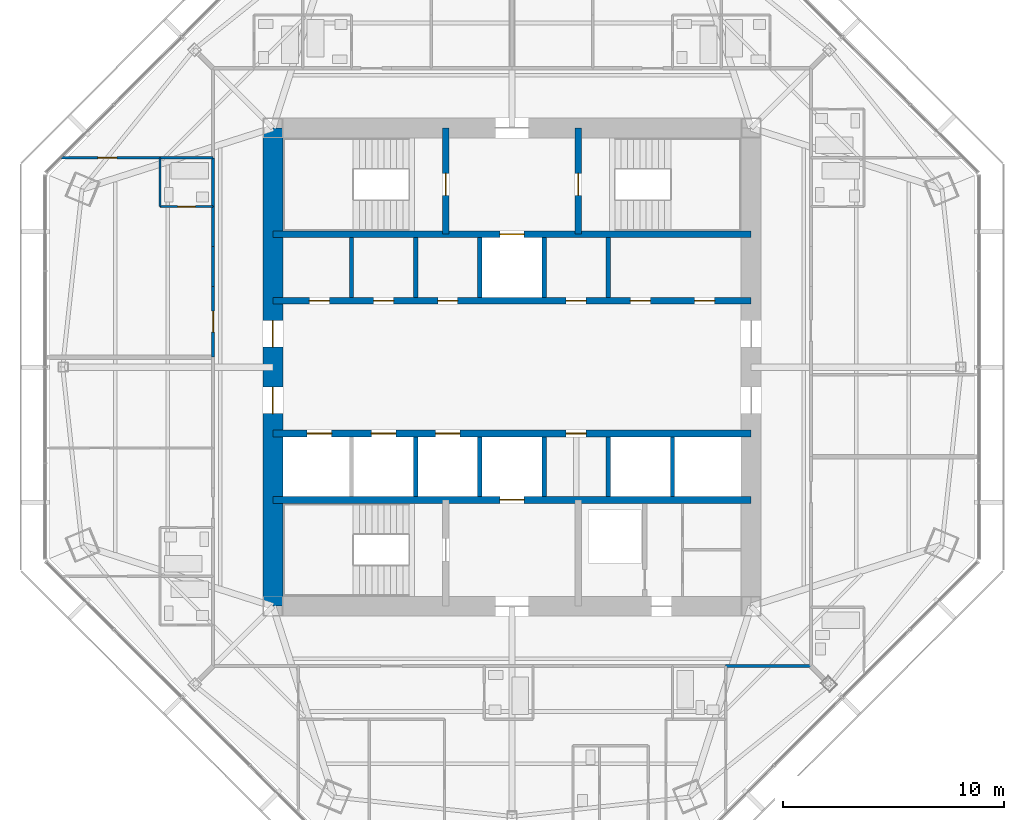
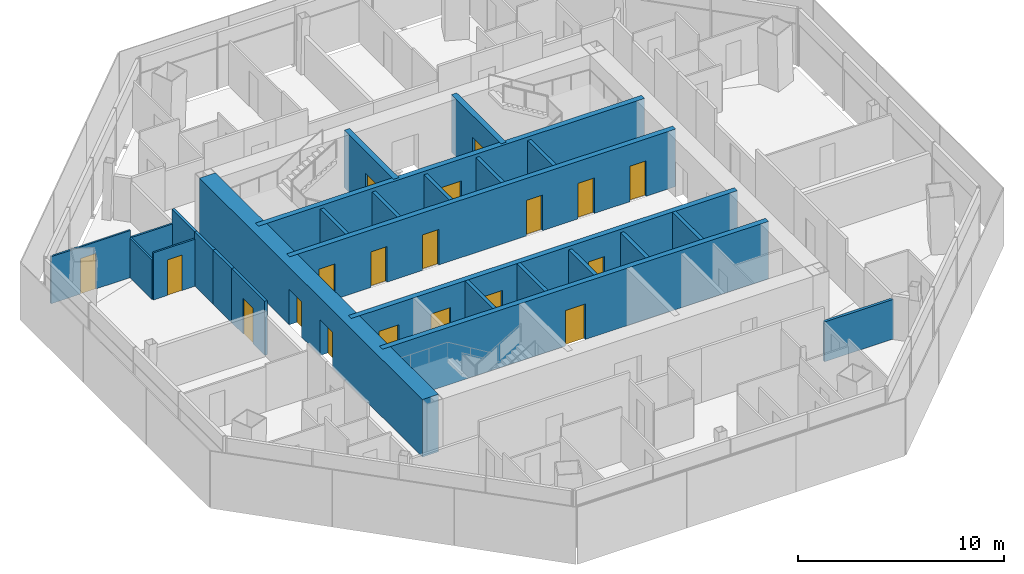
# One storey, part 10 of 14: 26 walls, 19 doors, 19 openings.
"""IFC4 building model written with IfcOpenShell, lengths in metres."""

from ifc_helpers import new_model, si_unit, direction, frame, frame_2d, origin, place, context, subcontext, project, spatial, rectangle, extrude, material, layer, layer_set, type_object, element, fill, save


model = new_model("IFC4")

# Units and contexts
model_context = context("Model", 3, precision=1e-05, world=origin(), true_north=direction((0.0, 1.0)))
body_context = subcontext(model_context, "Body", "Model", "MODEL_VIEW")
ifc_project = project(units=[si_unit("LENGTHUNIT", "METRE"), si_unit("AREAUNIT", "SQUARE_METRE"), si_unit("VOLUMEUNIT", "CUBIC_METRE"), si_unit("PLANEANGLEUNIT", "RADIAN"), si_unit("MASSUNIT", "GRAM", prefix="KILO")], contexts=[model_context])

# Site, building, storey
site_placement = place(None, origin())
site = spatial("IfcSite", under=ifc_project, at=site_placement, CompositionType="ELEMENT")
building_placement = place(site_placement, origin())
building = spatial("IfcBuilding", under=site, at=building_placement, Name="Mashrafa Tower", CompositionType="ELEMENT")
storey_placement = place(building_placement, frame((0.0, 0.0, 244.800048828125)))
storey = spatial("IfcBuildingStorey", under=building, at=storey_placement, Name="L58", CompositionType="ELEMENT", Elevation=244.800048828125)

# Wall, openings, doors
ifc_material_1 = material(Name="Concrete C50/60", Category="concrete")
ifc_layer_1 = layer(ifc_material_1, 0.300048828125)
ifc_layer_set_1 = layer_set([ifc_layer_1], Name="Core wall 300 C50/60")
wall_type_1 = type_object("IfcWallType", Name="Core wall 300 C50/60", PredefinedType="SOLIDWALL", material=ifc_layer_set_1)
wall_1_placement = place(storey_placement, frame((-10.800048828125, 3.0, 0.0), z_axis=(0.0, 0.0, 1.0), x_axis=(1.0, 0.0, 0.0)))
wall_1 = element("IfcWall", 1, at=wall_1_placement, inside=storey, type_object=wall_type_1, Name="Core wall CH-N L58", PredefinedType="SOLIDWALL", context=body_context, shape_type="SweptSolid", body=[
    extrude(rectangle(XDim=21.60009765625, YDim=0.300048828125, at=frame_2d((10.800048828125, 0.0))), origin(), (0.0, 0.0, 1.0), 3.39990234375),
])
opening_1_placement = place(wall_1_placement, frame((1.64990234375, 0.0, 0.0)))
opening_1 = element("IfcOpeningElement", 2, at=opening_1_placement, cuts=wall_1, Name="Opening 58.049", PredefinedType="OPENING", context=body_context, shape_type="SweptSolid", body=[
    extrude(rectangle(XDim=0.89990234375, YDim=2.10009765625, at=frame_2d((0.449951171875, 1.050048828125))), frame((0.0, 0.159912109375, 0.0), z_axis=(0.0, -1.0, 0.0), x_axis=(1.0, 0.0, 0.0)), (0.0, 0.0, 1.0), 0.320068359375),
])
opening_2_placement = place(wall_1_placement, frame((7.449951171875, 0.0, 0.0)))
opening_2 = element("IfcOpeningElement", 3, at=opening_2_placement, cuts=wall_1, Name="Opening 58.050", PredefinedType="OPENING", context=body_context, shape_type="SweptSolid", body=[
    extrude(rectangle(XDim=0.89990234375, YDim=2.10009765625, at=frame_2d((0.449951171875, 1.050048828125))), frame((0.0, 0.159912109375, 0.0), z_axis=(0.0, -1.0, 0.0), x_axis=(1.0, 0.0, 0.0)), (0.0, 0.0, 1.0), 0.320068359375),
])
opening_3_placement = place(wall_1_placement, frame((13.25, 0.0, 0.0)))
opening_3 = element("IfcOpeningElement", 4, at=opening_3_placement, cuts=wall_1, Name="Opening 58.051", PredefinedType="OPENING", context=body_context, shape_type="SweptSolid", body=[
    extrude(rectangle(XDim=0.89990234375, YDim=2.10009765625, at=frame_2d((0.449951171875, 1.050048828125))), frame((0.0, 0.159912109375, 0.0), z_axis=(0.0, -1.0, 0.0), x_axis=(1.0, 0.0, 0.0)), (0.0, 0.0, 1.0), 0.320068359375),
])
opening_4_placement = place(wall_1_placement, frame((16.14990234375, 0.0, 0.0)))
opening_4 = element("IfcOpeningElement", 5, at=opening_4_placement, cuts=wall_1, Name="Opening 58.052", PredefinedType="OPENING", context=body_context, shape_type="SweptSolid", body=[
    extrude(rectangle(XDim=0.89990234375, YDim=2.10009765625, at=frame_2d((0.449951171875, 1.050048828125))), frame((0.0, 0.159912109375, 0.0), z_axis=(0.0, -1.0, 0.0), x_axis=(1.0, 0.0, 0.0)), (0.0, 0.0, 1.0), 0.320068359375),
])
opening_5_placement = place(wall_1_placement, frame((19.050048828125, 0.0, 0.0)))
opening_5 = element("IfcOpeningElement", 6, at=opening_5_placement, cuts=wall_1, Name="Opening 58.053", PredefinedType="OPENING", context=body_context, shape_type="SweptSolid", body=[
    extrude(rectangle(XDim=0.89990234375, YDim=2.10009765625, at=frame_2d((0.449951171875, 1.050048828125))), frame((0.0, 0.159912109375, 0.0), z_axis=(0.0, -1.0, 0.0), x_axis=(1.0, 0.0, 0.0)), (0.0, 0.0, 1.0), 0.320068359375),
])
opening_6_placement = place(wall_1_placement, frame((4.550048828125, 0.0, 0.0)))
opening_6 = element("IfcOpeningElement", 7, at=opening_6_placement, cuts=wall_1, Name="Opening 58.054", PredefinedType="OPENING", context=body_context, shape_type="SweptSolid", body=[
    extrude(rectangle(XDim=0.89990234375, YDim=2.10009765625, at=frame_2d((0.449951171875, 1.050048828125))), frame((0.0, 0.159912109375, 0.0), z_axis=(0.0, -1.0, 0.0), x_axis=(1.0, 0.0, 0.0)), (0.0, 0.0, 1.0), 0.320068359375),
])
ifc_material_2 = material(Name="Timber door", Category="wood")
door_type_1 = type_object("IfcDoorType", Name="Store door 900 x 2100", OperationType="USERDEFINED", PredefinedType="DOOR", material=ifc_material_2)
door_1_placement = place(opening_1_placement, origin())
door_1 = element("IfcDoor", 8, at=door_1_placement, inside=storey, type_object=door_type_1, Name="Refuse Chute Room L58 door", OperationType="SINGLE_SWING_RIGHT", OverallHeight=2.10009765625, OverallWidth=0.89990234375, PredefinedType="DOOR", context=body_context, shape_type="SweptSolid", body=[
    extrude(rectangle(XDim=0.89990234375, YDim=2.10009765625, at=frame_2d((0.449951171875, 1.050048828125))), frame((0.0, 0.02490234375, 0.0), z_axis=(0.0, -1.0, 0.0), x_axis=(1.0, 0.0, 0.0)), (0.0, 0.0, 1.0), 0.050048828125),
])
fill(opening_1, door_1)
door_2_placement = place(opening_2_placement, origin())
door_2 = element("IfcDoor", 9, at=door_2_placement, inside=storey, type_object=door_type_1, Name="Vending and Ice Room L58 door", OperationType="SINGLE_SWING_LEFT", OverallHeight=2.10009765625, OverallWidth=0.89990234375, PredefinedType="DOOR", context=body_context, shape_type="SweptSolid", body=[
    extrude(rectangle(XDim=0.89990234375, YDim=2.10009765625, at=frame_2d((0.449951171875, 1.050048828125))), frame((0.0, 0.02490234375, 0.0), z_axis=(0.0, -1.0, 0.0), x_axis=(1.0, 0.0, 0.0)), (0.0, 0.0, 1.0), 0.050048828125),
])
fill(opening_2, door_2)
door_3_placement = place(opening_3_placement, origin())
door_3 = element("IfcDoor", 10, at=door_3_placement, inside=storey, type_object=door_type_1, Name="Cleaner's Store L58 door", OperationType="SINGLE_SWING_LEFT", OverallHeight=2.10009765625, OverallWidth=0.89990234375, PredefinedType="DOOR", context=body_context, shape_type="SweptSolid", body=[
    extrude(rectangle(XDim=0.89990234375, YDim=2.10009765625, at=frame_2d((0.449951171875, 1.050048828125))), frame((0.0, 0.02490234375, 0.0), z_axis=(0.0, -1.0, 0.0), x_axis=(1.0, 0.0, 0.0)), (0.0, 0.0, 1.0), 0.050048828125),
])
fill(opening_3, door_3)
door_4_placement = place(opening_4_placement, origin())
door_4 = element("IfcDoor", 11, at=door_4_placement, inside=storey, type_object=door_type_1, Name="Parcel Room L58 door", OperationType="SINGLE_SWING_LEFT", OverallHeight=2.10009765625, OverallWidth=0.89990234375, PredefinedType="DOOR", context=body_context, shape_type="SweptSolid", body=[
    extrude(rectangle(XDim=0.89990234375, YDim=2.10009765625, at=frame_2d((0.449951171875, 1.050048828125))), frame((0.0, 0.02490234375, 0.0), z_axis=(0.0, -1.0, 0.0), x_axis=(1.0, 0.0, 0.0)), (0.0, 0.0, 1.0), 0.050048828125),
])
fill(opening_4, door_4)
door_5_placement = place(opening_5_placement, origin())
door_5 = element("IfcDoor", 12, at=door_5_placement, inside=storey, type_object=door_type_1, Name="Parcel Room L58 door", OperationType="SINGLE_SWING_RIGHT", OverallHeight=2.10009765625, OverallWidth=0.89990234375, PredefinedType="DOOR", context=body_context, shape_type="SweptSolid", body=[
    extrude(rectangle(XDim=0.89990234375, YDim=2.10009765625, at=frame_2d((0.449951171875, 1.050048828125))), frame((0.0, 0.02490234375, 0.0), z_axis=(0.0, -1.0, 0.0), x_axis=(1.0, 0.0, 0.0)), (0.0, 0.0, 1.0), 0.050048828125),
])
fill(opening_5, door_5)
door_6_placement = place(opening_6_placement, origin())
door_6 = element("IfcDoor", 13, at=door_6_placement, inside=storey, type_object=door_type_1, Name="Residents' Store L58-A2 door", OperationType="SINGLE_SWING_LEFT", OverallHeight=2.10009765625, OverallWidth=0.89990234375, PredefinedType="DOOR", context=body_context, shape_type="SweptSolid", body=[
    extrude(rectangle(XDim=0.89990234375, YDim=2.10009765625, at=frame_2d((0.449951171875, 1.050048828125))), frame((0.0, 0.02490234375, 0.0), z_axis=(0.0, -1.0, 0.0), x_axis=(1.0, 0.0, 0.0)), (0.0, 0.0, 1.0), 0.050048828125),
])
fill(opening_6, door_6)

# Wall, opening, door
wall_2_placement = place(storey_placement, frame((-10.800048828125, 6.0, 0.0), z_axis=(0.0, 0.0, 1.0), x_axis=(1.0, 0.0, 0.0)))
wall_2 = element("IfcWall", 14, at=wall_2_placement, inside=storey, type_object=wall_type_1, Name="Core wall CB-N L58", PredefinedType="SOLIDWALL", context=body_context, shape_type="SweptSolid", body=[
    extrude(rectangle(XDim=21.60009765625, YDim=0.300048828125, at=frame_2d((10.800048828125, 0.0))), origin(), (0.0, 0.0, 1.0), 3.39990234375),
])
opening_7_placement = place(wall_2_placement, frame((10.25, 0.0, 0.0)))
opening_7 = element("IfcOpeningElement", 15, at=opening_7_placement, cuts=wall_2, Name="Opening 58.F1", PredefinedType="OPENING", context=body_context, shape_type="SweptSolid", body=[
    extrude(rectangle(XDim=1.10009765625, YDim=2.10009765625, at=frame_2d((0.550048828125, 1.050048828125))), frame((0.0, 0.159912109375, 0.0), z_axis=(0.0, -1.0, 0.0), x_axis=(1.0, 0.0, 0.0)), (0.0, 0.0, 1.0), 0.320068359375),
])
ifc_material_3 = material(Name="Steel door", Category="steel")
door_type_2 = type_object("IfcDoorType", Name="Lift landing door 1100 x 2100 90 min", OperationType="DOUBLE_DOOR_SLIDING", PredefinedType="DOOR", material=ifc_material_3)
door_7_placement = place(opening_7_placement, origin())
door_7 = element("IfcDoor", 16, at=door_7_placement, inside=storey, type_object=door_type_2, Name="Lift landing door F1 L58", OperationType="DOUBLE_DOOR_SLIDING", OverallHeight=2.10009765625, OverallWidth=1.10009765625, PredefinedType="DOOR", context=body_context, shape_type="SweptSolid", body=[
    extrude(rectangle(XDim=1.10009765625, YDim=2.10009765625, at=frame_2d((0.550048828125, 1.050048828125))), frame((0.0, 0.02490234375, 0.0), z_axis=(0.0, -1.0, 0.0), x_axis=(1.0, 0.0, 0.0)), (0.0, 0.0, 1.0), 0.050048828125),
])
fill(opening_7, door_7)

wall_3_placement = place(storey_placement, frame((-3.0, 6.0, 0.0), z_axis=(0.0, 0.0, 1.0), x_axis=(0.0, 1.0, 0.0)))
wall_3 = element("IfcWall", 17, at=wall_3_placement, inside=storey, type_object=wall_type_1, Name="Core wall CX-NW L58", PredefinedType="SOLIDWALL", context=body_context, shape_type="SweptSolid", body=[
    extrude(rectangle(XDim=4.800048828125, YDim=0.300048828125, at=frame_2d((2.39990234375, 0.0))), origin(), (0.0, 0.0, 1.0), 3.39990234375),
])
opening_8_placement = place(wall_3_placement, frame((1.75, 0.0, 0.0)))
opening_8 = element("IfcOpeningElement", 18, at=opening_8_placement, cuts=wall_3, Name="Opening 58.042", PredefinedType="OPENING", context=body_context, shape_type="SweptSolid", body=[
    extrude(rectangle(XDim=1.0, YDim=2.10009765625, at=frame_2d((0.5, 1.050048828125))), frame((0.0, 0.159912109375, 0.0), z_axis=(0.0, -1.0, 0.0), x_axis=(1.0, 0.0, 0.0)), (0.0, 0.0, 1.0), 0.320068359375),
])
ifc_material_4 = material(Name="Steel door", Category="steel")
door_type_3 = type_object("IfcDoorType", Name="Stair door 1000 x 2100 90 min", OperationType="USERDEFINED", PredefinedType="DOOR", material=ifc_material_4)
door_8_placement = place(opening_8_placement, origin())
door_8 = element("IfcDoor", 19, at=door_8_placement, inside=storey, type_object=door_type_3, Name="Stair S1 door L58", OperationType="SINGLE_SWING_LEFT", OverallHeight=2.10009765625, OverallWidth=1.0, PredefinedType="DOOR", context=body_context, shape_type="SweptSolid", body=[
    extrude(rectangle(XDim=1.0, YDim=2.10009765625, at=frame_2d((0.5, 1.050048828125))), frame((0.0, 0.02490234375, 0.0), z_axis=(0.0, -1.0, 0.0), x_axis=(1.0, 0.0, 0.0)), (0.0, 0.0, 1.0), 0.050048828125),
])
fill(opening_8, door_8)

wall_4_placement = place(storey_placement, frame((3.0, 6.0, 0.0), z_axis=(0.0, 0.0, 1.0), x_axis=(0.0, 1.0, 0.0)))
wall_4 = element("IfcWall", 20, at=wall_4_placement, inside=storey, type_object=wall_type_1, Name="Core wall CX-NE L58", PredefinedType="SOLIDWALL", context=body_context, shape_type="SweptSolid", body=[
    extrude(rectangle(XDim=4.800048828125, YDim=0.300048828125, at=frame_2d((2.39990234375, 0.0))), origin(), (0.0, 0.0, 1.0), 3.39990234375),
])
opening_9_placement = place(wall_4_placement, frame((1.75, 0.0, 0.0)))
opening_9 = element("IfcOpeningElement", 21, at=opening_9_placement, cuts=wall_4, Name="Opening 58.043", PredefinedType="OPENING", context=body_context, shape_type="SweptSolid", body=[
    extrude(rectangle(XDim=1.0, YDim=2.10009765625, at=frame_2d((0.5, 1.050048828125))), frame((0.0, 0.159912109375, 0.0), z_axis=(0.0, -1.0, 0.0), x_axis=(1.0, 0.0, 0.0)), (0.0, 0.0, 1.0), 0.320068359375),
])
door_9_placement = place(opening_9_placement, frame((1.0, 0.0, 0.0), z_axis=(0.0, 0.0, 1.0), x_axis=(-1.0, 0.0, 0.0)))
door_9 = element("IfcDoor", 22, at=door_9_placement, inside=storey, type_object=door_type_3, Name="Stair S2 door L58", OperationType="SINGLE_SWING_RIGHT", OverallHeight=2.10009765625, OverallWidth=1.0, PredefinedType="DOOR", context=body_context, shape_type="SweptSolid", body=[
    extrude(rectangle(XDim=1.0, YDim=2.10009765625, at=frame_2d((0.5, 1.050048828125))), frame((0.0, 0.02490234375, 0.0), z_axis=(0.0, -1.0, 0.0), x_axis=(1.0, 0.0, 0.0)), (0.0, 0.0, 1.0), 0.050048828125),
])
fill(opening_9, door_9)

# Wall, openings, doors
wall_5_placement = place(storey_placement, frame((-10.800048828125, -3.0, 0.0), z_axis=(0.0, 0.0, 1.0), x_axis=(1.0, 0.0, 0.0)))
wall_5 = element("IfcWall", 23, at=wall_5_placement, inside=storey, type_object=wall_type_1, Name="Core wall CH-S L58", PredefinedType="SOLIDWALL", context=body_context, shape_type="SweptSolid", body=[
    extrude(rectangle(XDim=21.60009765625, YDim=0.300048828125, at=frame_2d((10.800048828125, 0.0))), origin(), (0.0, 0.0, 1.0), 3.39990234375),
])
opening_10_placement = place(wall_5_placement, frame((13.25, 0.0, 0.0)))
opening_10 = element("IfcOpeningElement", 24, at=opening_10_placement, cuts=wall_5, Name="Opening 58.055", PredefinedType="OPENING", context=body_context, shape_type="SweptSolid", body=[
    extrude(rectangle(XDim=0.89990234375, YDim=2.10009765625, at=frame_2d((0.449951171875, 1.050048828125))), frame((0.0, 0.159912109375, 0.0), z_axis=(0.0, -1.0, 0.0), x_axis=(1.0, 0.0, 0.0)), (0.0, 0.0, 1.0), 0.320068359375),
])
opening_11_placement = place(wall_5_placement, frame((1.550048828125, 0.0, 0.0)))
opening_11 = element("IfcOpeningElement", 25, at=opening_11_placement, cuts=wall_5, Name="Opening 58.AL1", PredefinedType="OPENING", context=body_context, shape_type="SweptSolid", body=[
    extrude(rectangle(XDim=1.10009765625, YDim=2.10009765625, at=frame_2d((0.550048828125, 1.050048828125))), frame((0.0, 0.159912109375, 0.0), z_axis=(0.0, -1.0, 0.0), x_axis=(1.0, 0.0, 0.0)), (0.0, 0.0, 1.0), 0.320068359375),
])
opening_12_placement = place(wall_5_placement, frame((4.449951171875, 0.0, 0.0)))
opening_12 = element("IfcOpeningElement", 26, at=opening_12_placement, cuts=wall_5, Name="Opening 58.AL2", PredefinedType="OPENING", context=body_context, shape_type="SweptSolid", body=[
    extrude(rectangle(XDim=1.10009765625, YDim=2.10009765625, at=frame_2d((0.550048828125, 1.050048828125))), frame((0.0, 0.159912109375, 0.0), z_axis=(0.0, -1.0, 0.0), x_axis=(1.0, 0.0, 0.0)), (0.0, 0.0, 1.0), 0.320068359375),
])
opening_13_placement = place(wall_5_placement, frame((7.35009765625, 0.0, 0.0)))
opening_13 = element("IfcOpeningElement", 27, at=opening_13_placement, cuts=wall_5, Name="Opening 58.AL3", PredefinedType="OPENING", context=body_context, shape_type="SweptSolid", body=[
    extrude(rectangle(XDim=1.10009765625, YDim=2.10009765625, at=frame_2d((0.550048828125, 1.050048828125))), frame((0.0, 0.159912109375, 0.0), z_axis=(0.0, -1.0, 0.0), x_axis=(1.0, 0.0, 0.0)), (0.0, 0.0, 1.0), 0.320068359375),
])
door_10_placement = place(opening_11_placement, origin())
door_10 = element("IfcDoor", 28, at=door_10_placement, inside=storey, type_object=door_type_2, Name="Lift landing door AL1 L58", OperationType="DOUBLE_DOOR_SLIDING", OverallHeight=2.10009765625, OverallWidth=1.10009765625, PredefinedType="DOOR", context=body_context, shape_type="SweptSolid", body=[
    extrude(rectangle(XDim=1.10009765625, YDim=2.10009765625, at=frame_2d((0.550048828125, 1.050048828125))), frame((0.0, 0.02490234375, 0.0), z_axis=(0.0, -1.0, 0.0), x_axis=(1.0, 0.0, 0.0)), (0.0, 0.0, 1.0), 0.050048828125),
])
fill(opening_11, door_10)
door_11_placement = place(opening_12_placement, origin())
door_11 = element("IfcDoor", 29, at=door_11_placement, inside=storey, type_object=door_type_2, Name="Lift landing door AL2 L58", OperationType="DOUBLE_DOOR_SLIDING", OverallHeight=2.10009765625, OverallWidth=1.10009765625, PredefinedType="DOOR", context=body_context, shape_type="SweptSolid", body=[
    extrude(rectangle(XDim=1.10009765625, YDim=2.10009765625, at=frame_2d((0.550048828125, 1.050048828125))), frame((0.0, 0.02490234375, 0.0), z_axis=(0.0, -1.0, 0.0), x_axis=(1.0, 0.0, 0.0)), (0.0, 0.0, 1.0), 0.050048828125),
])
fill(opening_12, door_11)
door_12_placement = place(opening_13_placement, origin())
door_12 = element("IfcDoor", 30, at=door_12_placement, inside=storey, type_object=door_type_2, Name="Lift landing door AL3 L58", OperationType="DOUBLE_DOOR_SLIDING", OverallHeight=2.10009765625, OverallWidth=1.10009765625, PredefinedType="DOOR", context=body_context, shape_type="SweptSolid", body=[
    extrude(rectangle(XDim=1.10009765625, YDim=2.10009765625, at=frame_2d((0.550048828125, 1.050048828125))), frame((0.0, 0.02490234375, 0.0), z_axis=(0.0, -1.0, 0.0), x_axis=(1.0, 0.0, 0.0)), (0.0, 0.0, 1.0), 0.050048828125),
])
fill(opening_13, door_12)
door_13_placement = place(opening_10_placement, frame((0.89990234375, 0.0, 0.0), z_axis=(0.0, 0.0, 1.0), x_axis=(-1.0, 0.0, 0.0)))
door_13 = element("IfcDoor", 31, at=door_13_placement, inside=storey, type_object=door_type_1, Name="Residents' Store L58-B4 door", OperationType="SINGLE_SWING_RIGHT", OverallHeight=2.10009765625, OverallWidth=0.89990234375, PredefinedType="DOOR", context=body_context, shape_type="SweptSolid", body=[
    extrude(rectangle(XDim=0.89990234375, YDim=2.10009765625, at=frame_2d((0.449951171875, 1.050048828125))), frame((0.0, 0.02490234375, 0.0), z_axis=(0.0, -1.0, 0.0), x_axis=(1.0, 0.0, 0.0)), (0.0, 0.0, 1.0), 0.050048828125),
])
fill(opening_10, door_13)

# Wall, opening, door
wall_6_placement = place(storey_placement, frame((-10.800048828125, -6.0, 0.0), z_axis=(0.0, 0.0, 1.0), x_axis=(1.0, 0.0, 0.0)))
wall_6 = element("IfcWall", 32, at=wall_6_placement, inside=storey, type_object=wall_type_1, Name="Core wall CB-S L58", PredefinedType="SOLIDWALL", context=body_context, shape_type="SweptSolid", body=[
    extrude(rectangle(XDim=21.60009765625, YDim=0.300048828125, at=frame_2d((10.800048828125, 0.0))), origin(), (0.0, 0.0, 1.0), 3.39990234375),
])
opening_14_placement = place(wall_6_placement, frame((10.25, 0.0, 0.0)))
opening_14 = element("IfcOpeningElement", 33, at=opening_14_placement, cuts=wall_6, Name="Opening 58.F2", PredefinedType="OPENING", context=body_context, shape_type="SweptSolid", body=[
    extrude(rectangle(XDim=1.10009765625, YDim=2.10009765625, at=frame_2d((0.550048828125, 1.050048828125))), frame((0.0, 0.159912109375, 0.0), z_axis=(0.0, -1.0, 0.0), x_axis=(1.0, 0.0, 0.0)), (0.0, 0.0, 1.0), 0.320068359375),
])
door_14_placement = place(opening_14_placement, origin())
door_14 = element("IfcDoor", 34, at=door_14_placement, inside=storey, type_object=door_type_2, Name="Lift landing door F2 L58", OperationType="DOUBLE_DOOR_SLIDING", OverallHeight=2.10009765625, OverallWidth=1.10009765625, PredefinedType="DOOR", context=body_context, shape_type="SweptSolid", body=[
    extrude(rectangle(XDim=1.10009765625, YDim=2.10009765625, at=frame_2d((0.550048828125, 1.050048828125))), frame((0.0, 0.02490234375, 0.0), z_axis=(0.0, -1.0, 0.0), x_axis=(1.0, 0.0, 0.0)), (0.0, 0.0, 1.0), 0.050048828125),
])
fill(opening_14, door_14)

# Wall, openings, doors
ifc_material_5 = material(Name="Concrete C50/60", Category="concrete")
ifc_layer_2 = layer(ifc_material_5, 0.89990234375)
ifc_layer_set_2 = layer_set([ifc_layer_2], Name="Core wall 900 C50/60")
wall_type_2 = type_object("IfcWallType", Name="Core wall 900 C50/60", PredefinedType="SOLIDWALL", material=ifc_layer_set_2)
wall_7_placement = place(storey_placement, frame((-10.800048828125, 10.800048828125, 0.0), z_axis=(0.0, 0.0, 1.0), x_axis=(0.0, -1.0, 0.0)))
wall_7 = element("IfcWall", 35, at=wall_7_placement, inside=storey, type_object=wall_type_2, Name="Core wall CW-W L58", PredefinedType="SOLIDWALL", context=body_context, shape_type="SweptSolid", body=[
    extrude(rectangle(XDim=21.60009765625, YDim=0.89990234375, at=frame_2d((10.800048828125, 0.0))), origin(), (0.0, 0.0, 1.0), 3.39990234375),
])
opening_15_placement = place(wall_7_placement, frame((8.699951171875, 0.0, 0.0)))
opening_15 = element("IfcOpeningElement", 36, at=opening_15_placement, cuts=wall_7, Name="Opening 58.037", PredefinedType="OPENING", context=body_context, shape_type="SweptSolid", body=[
    extrude(rectangle(XDim=1.199951171875, YDim=2.10009765625, at=frame_2d((0.60009765625, 1.050048828125))), frame((0.0, 0.4599609375, 0.0), z_axis=(0.0, -1.0, 0.0), x_axis=(1.0, 0.0, 0.0)), (0.0, 0.0, 1.0), 0.919921875),
])
opening_16_placement = place(wall_7_placement, frame((11.699951171875, 0.0, 0.0)))
opening_16 = element("IfcOpeningElement", 37, at=opening_16_placement, cuts=wall_7, Name="Opening 58.039", PredefinedType="OPENING", context=body_context, shape_type="SweptSolid", body=[
    extrude(rectangle(XDim=1.199951171875, YDim=2.10009765625, at=frame_2d((0.60009765625, 1.050048828125))), frame((0.0, 0.4599609375, 0.0), z_axis=(0.0, -1.0, 0.0), x_axis=(1.0, 0.0, 0.0)), (0.0, 0.0, 1.0), 0.919921875),
])
ifc_material_6 = material(Name="Steel door", Category="steel")
door_type_4 = type_object("IfcDoorType", Name="Lift hall door 1200 x 2100 90 min", OperationType="USERDEFINED", PredefinedType="DOOR", material=ifc_material_6)
door_15_placement = place(opening_15_placement, frame((1.199951171875, 0.0, 0.0), z_axis=(0.0, 0.0, 1.0), x_axis=(-1.0, 0.0, 0.0)))
door_15 = element("IfcDoor", 38, at=door_15_placement, inside=storey, type_object=door_type_4, Name="Lift hall door west L58", OperationType="SINGLE_SWING_RIGHT", OverallHeight=2.10009765625, OverallWidth=1.199951171875, PredefinedType="DOOR", context=body_context, shape_type="SweptSolid", body=[
    extrude(rectangle(XDim=1.199951171875, YDim=2.10009765625, at=frame_2d((0.60009765625, 1.050048828125))), frame((0.0, 0.02490234375, 0.0), z_axis=(0.0, -1.0, 0.0), x_axis=(1.0, 0.0, 0.0)), (0.0, 0.0, 1.0), 0.050048828125),
])
fill(opening_15, door_15)
door_16_placement = place(opening_16_placement, frame((1.199951171875, 0.0, 0.0), z_axis=(0.0, 0.0, 1.0), x_axis=(-1.0, 0.0, 0.0)))
door_16 = element("IfcDoor", 39, at=door_16_placement, inside=storey, type_object=door_type_4, Name="Lift hall door west L58", OperationType="SINGLE_SWING_LEFT", OverallHeight=2.10009765625, OverallWidth=1.199951171875, PredefinedType="DOOR", context=body_context, shape_type="SweptSolid", body=[
    extrude(rectangle(XDim=1.199951171875, YDim=2.10009765625, at=frame_2d((0.60009765625, 1.050048828125))), frame((0.0, 0.02490234375, 0.0), z_axis=(0.0, -1.0, 0.0), x_axis=(1.0, 0.0, 0.0)), (0.0, 0.0, 1.0), 0.050048828125),
])
fill(opening_16, door_16)

# Walls
ifc_material_7 = material(Name="Gypsum board on steel studs", Category="steel")
ifc_layer_3 = layer(ifc_material_7, 0.14990234375)
ifc_layer_set_3 = layer_set([ifc_layer_3], Name="Corridor partition 150 1 hr")
wall_type_3 = type_object("IfcWallType", Name="Corridor partition 150 1 hr", PredefinedType="PARTITIONING", material=ifc_layer_set_3)
wall_8_placement = place(storey_placement, frame((-13.5, 9.450927734375, 0.0), z_axis=(0.0, 0.0, 1.0), x_axis=(0.0, -1.0, 0.0)))
element("IfcWall", 40, at=wall_8_placement, inside=storey, type_object=wall_type_3, Name="Corridor wall L58-025", PredefinedType="PARTITIONING", context=body_context, shape_type="SweptSolid", body=[
    extrude(rectangle(XDim=2.201904296875, YDim=0.14990234375, at=frame_2d((1.10107421875, 0.0))), origin(), (0.0, 0.0, 1.0), 3.199951171875),
])
wall_9_placement = place(storey_placement, frame((-13.5, 5.450927734375, 0.0), z_axis=(0.0, 0.0, 1.0), x_axis=(0.0, -1.0, 0.0)))
element("IfcWall", 41, at=wall_9_placement, inside=storey, type_object=wall_type_3, Name="Corridor wall L58-026", PredefinedType="PARTITIONING", context=body_context, shape_type="SweptSolid", body=[
    extrude(rectangle(XDim=1.802001953125, YDim=0.14990234375, at=frame_2d((0.90087890625, 0.0))), origin(), (0.0, 0.0, 1.0), 3.199951171875),
])

# Wall, opening, door
wall_10_placement = place(storey_placement, frame((-13.5, 3.65087890625, 0.0), z_axis=(0.0, 0.0, 1.0), x_axis=(0.0, -1.0, 0.0)))
wall_10 = element("IfcWall", 42, at=wall_10_placement, inside=storey, type_object=wall_type_3, Name="Corridor wall L58-027", PredefinedType="PARTITIONING", context=body_context, shape_type="SweptSolid", body=[
    extrude(rectangle(XDim=3.201904296875, YDim=0.14990234375, at=frame_2d((1.60107421875, 0.0))), origin(), (0.0, 0.0, 1.0), 3.199951171875),
])
opening_17_placement = place(wall_10_placement, frame((1.1259765625, 0.0, 0.0)))
opening_17 = element("IfcOpeningElement", 43, at=opening_17_placement, cuts=wall_10, Name="Opening 58.020", PredefinedType="OPENING", context=body_context, shape_type="SweptSolid", body=[
    extrude(rectangle(XDim=0.949951171875, YDim=2.10009765625, at=frame_2d((0.47509765625, 1.050048828125))), frame((0.0, 0.0849609375, 0.0), z_axis=(0.0, -1.0, 0.0), x_axis=(1.0, 0.0, 0.0)), (0.0, 0.0, 1.0), 0.169921875),
])
ifc_material_8 = material(Name="Steel door", Category="steel")
door_type_5 = type_object("IfcDoorType", Name="Residence entrance door 950 x 2100 20 min", OperationType="USERDEFINED", PredefinedType="DOOR", material=ifc_material_8)
door_17_placement = place(opening_17_placement, frame((0.949951171875, 0.0, 0.0), z_axis=(0.0, 0.0, 1.0), x_axis=(-1.0, 0.0, 0.0)))
door_17 = element("IfcDoor", 44, at=door_17_placement, inside=storey, type_object=door_type_5, Name="Apartment 5805 Living Room door", OperationType="SINGLE_SWING_LEFT", OverallHeight=2.10009765625, OverallWidth=0.949951171875, PredefinedType="DOOR", context=body_context, shape_type="SweptSolid", body=[
    extrude(rectangle(XDim=0.949951171875, YDim=2.10009765625, at=frame_2d((0.47509765625, 1.050048828125))), frame((0.0, 0.02490234375, 0.0), z_axis=(0.0, -1.0, 0.0), x_axis=(1.0, 0.0, 0.0)), (0.0, 0.0, 1.0), 0.050048828125),
])
fill(opening_17, door_17)

# Walls
wall_11_placement = place(storey_placement, frame((-13.5, 7.2509765625, 0.0), z_axis=(0.0, 0.0, 1.0), x_axis=(0.0, -1.0, 0.0)))
element("IfcWall", 45, at=wall_11_placement, inside=storey, type_object=wall_type_3, Name="Corridor wall L58-028", PredefinedType="PARTITIONING", context=body_context, shape_type="SweptSolid", body=[
    extrude(rectangle(XDim=1.802001953125, YDim=0.14990234375, at=frame_2d((0.90087890625, 0.0))), origin(), (0.0, 0.0, 1.0), 3.199951171875),
])
wall_12_placement = place(storey_placement, frame((9.64892578125, -13.5, 0.0), z_axis=(0.0, 0.0, 1.0), x_axis=(1.0, 0.0, 0.0)))
element("IfcWall", 46, at=wall_12_placement, inside=storey, type_object=wall_type_3, Name="Corridor wall L58-039", PredefinedType="PARTITIONING", context=body_context, shape_type="SweptSolid", body=[
    extrude(rectangle(XDim=3.85107421875, YDim=0.14990234375, at=frame_2d((1.925537109375, 0.0))), origin(), (0.0, 0.0, 1.0), 2.349365234375),
])
ifc_material_9 = material(Name="Gypsum board on steel studs", Category="steel")
ifc_layer_4 = layer(ifc_material_9, 0.10009765625)
ifc_layer_set_4 = layer_set([ifc_layer_4], Name="Partition 100")
wall_type_4 = type_object("IfcWallType", Name="Partition 100", PredefinedType="PARTITIONING", material=ifc_layer_set_4)
wall_13_placement = place(storey_placement, frame((-15.90087890625, 9.449951171875, 0.0), z_axis=(0.0, 0.0, 1.0), x_axis=(1.0, 0.0, 0.0)))
element("IfcWall", 47, at=wall_13_placement, inside=storey, type_object=wall_type_4, Name="Partition wall L58-072", PredefinedType="PARTITIONING", context=body_context, shape_type="SweptSolid", body=[
    extrude(rectangle(XDim=2.40087890625, YDim=0.10009765625, at=frame_2d((1.200439453125, 0.0))), origin(), (0.0, 0.0, 1.0), 2.349365234375),
])

# Wall, opening, door
wall_14_placement = place(storey_placement, frame((-20.353515625, 9.449951171875, 0.0), z_axis=(0.0, 0.0, 1.0), x_axis=(1.0, 0.0, 0.0)))
wall_14 = element("IfcWall", 48, at=wall_14_placement, inside=storey, type_object=wall_type_4, Name="Partition wall L58-073", PredefinedType="PARTITIONING", context=body_context, shape_type="SweptSolid", body=[
    extrude(rectangle(XDim=4.45458984375, YDim=0.10009765625, at=frame_2d((2.227294921875, 0.0))), origin(), (0.0, 0.0, 1.0), 2.783447265625),
])
opening_18_placement = place(wall_14_placement, frame((1.655029296875, 0.0, 0.0)))
opening_18 = element("IfcOpeningElement", 49, at=opening_18_placement, cuts=wall_14, Name="Opening 58.018", PredefinedType="OPENING", context=body_context, shape_type="SweptSolid", body=[
    extrude(rectangle(XDim=0.85009765625, YDim=2.10009765625, at=frame_2d((0.425048828125, 1.050048828125))), frame((0.0, 0.06005859375, 0.0), z_axis=(0.0, -1.0, 0.0), x_axis=(1.0, 0.0, 0.0)), (0.0, 0.0, 1.0), 0.1201171875),
])
ifc_material_10 = material(Name="Timber door", Category="wood")
door_type_6 = type_object("IfcDoorType", Name="Bedroom door 850 x 2100", OperationType="USERDEFINED", PredefinedType="DOOR", material=ifc_material_10)
door_18_placement = place(opening_18_placement, origin())
door_18 = element("IfcDoor", 50, at=door_18_placement, inside=storey, type_object=door_type_6, Name="Apartment 5805 Bedroom 1 door", OperationType="SINGLE_SWING_LEFT", OverallHeight=2.10009765625, OverallWidth=0.85009765625, PredefinedType="DOOR", context=body_context, shape_type="SweptSolid", body=[
    extrude(rectangle(XDim=0.85009765625, YDim=2.10009765625, at=frame_2d((0.425048828125, 1.050048828125))), frame((0.0, 0.02490234375, 0.0), z_axis=(0.0, -1.0, 0.0), x_axis=(1.0, 0.0, 0.0)), (0.0, 0.0, 1.0), 0.050048828125),
])
fill(opening_18, door_18)

# Wall
wall_15_placement = place(storey_placement, frame((-15.89990234375, 9.449951171875, 0.0), z_axis=(0.0, 0.0, 1.0), x_axis=(0.0, -1.0, 0.0)))
element("IfcWall", 51, at=wall_15_placement, inside=storey, type_object=wall_type_4, Name="Partition wall L58-074", PredefinedType="PARTITIONING", context=body_context, shape_type="SweptSolid", body=[
    extrude(rectangle(XDim=2.199951171875, YDim=0.10009765625, at=frame_2d((1.10009765625, 0.0))), origin(), (0.0, 0.0, 1.0), 2.349365234375),
])

# Wall, opening, door
wall_16_placement = place(storey_placement, frame((-15.89990234375, 7.25, 0.0), z_axis=(0.0, 0.0, 1.0), x_axis=(1.0, 0.0, 0.0)))
wall_16 = element("IfcWall", 52, at=wall_16_placement, inside=storey, type_object=wall_type_4, Name="Partition wall L58-075", PredefinedType="PARTITIONING", context=body_context, shape_type="SweptSolid", body=[
    extrude(rectangle(XDim=2.39990234375, YDim=0.10009765625, at=frame_2d((1.199951171875, 0.0))), origin(), (0.0, 0.0, 1.0), 2.783447265625),
])
opening_19_placement = place(wall_16_placement, frame((0.800048828125, 0.0, 0.0)))
opening_19 = element("IfcOpeningElement", 53, at=opening_19_placement, cuts=wall_16, Name="Opening 58.019", PredefinedType="OPENING", context=body_context, shape_type="SweptSolid", body=[
    extrude(rectangle(XDim=0.800048828125, YDim=2.10009765625, at=frame_2d((0.39990234375, 1.050048828125))), frame((0.0, 0.06005859375, 0.0), z_axis=(0.0, -1.0, 0.0), x_axis=(1.0, 0.0, 0.0)), (0.0, 0.0, 1.0), 0.1201171875),
])
ifc_material_11 = material(Name="Timber door", Category="wood")
door_type_7 = type_object("IfcDoorType", Name="Bathroom door 800 x 2100", OperationType="USERDEFINED", PredefinedType="DOOR", material=ifc_material_11)
door_19_placement = place(opening_19_placement, origin())
door_19 = element("IfcDoor", 54, at=door_19_placement, inside=storey, type_object=door_type_7, Name="Apartment 5805 Bathroom door", OperationType="SINGLE_SWING_LEFT", OverallHeight=2.10009765625, OverallWidth=0.800048828125, PredefinedType="DOOR", context=body_context, shape_type="SweptSolid", body=[
    extrude(rectangle(XDim=0.800048828125, YDim=2.10009765625, at=frame_2d((0.39990234375, 1.050048828125))), frame((0.0, 0.02490234375, 0.0), z_axis=(0.0, -1.0, 0.0), x_axis=(1.0, 0.0, 0.0)), (0.0, 0.0, 1.0), 0.050048828125),
])
fill(opening_19, door_19)

# Walls
ifc_material_12 = material(Name="Gypsum shaft wall on steel studs", Category="steel")
ifc_layer_5 = layer(ifc_material_12, 0.199951171875)
ifc_layer_set_5 = layer_set([ifc_layer_5], Name="Shaft divider wall 200 2 hr")
wall_type_5 = type_object("IfcWallType", Name="Shaft divider wall 200 2 hr", PredefinedType="PARTITIONING", material=ifc_layer_set_5)
for number, where, z_axis, x_axis, name in (
    (55, (-7.25, 3.14990234375, 0.0), (0.0, 0.0, 1.0), (0.0, 1.0, 0.0), "Shaft divider wall N1 L58"),
    (56, (-4.35009765625, 3.14990234375, 0.0), (0.0, 0.0, 1.0), (0.0, 1.0, 0.0), "Shaft divider wall N2 L58"),
    (57, (-1.449951171875, 3.14990234375, 0.0), (0.0, 0.0, 1.0), (0.0, 1.0, 0.0), "Shaft divider wall N3 L58"),
    (58, (1.449951171875, 3.14990234375, 0.0), (0.0, 0.0, 1.0), (0.0, 1.0, 0.0), "Shaft divider wall N4 L58"),
    (59, (4.35009765625, 3.14990234375, 0.0), (0.0, 0.0, 1.0), (0.0, 1.0, 0.0), "Shaft divider wall N5 L58"),
):
    element("IfcWall", number, at=place(storey_placement, frame(where, z_axis=z_axis, x_axis=x_axis)), inside=storey, type_object=wall_type_5, Name=name, PredefinedType="PARTITIONING", context=body_context, shape_type="SweptSolid", body=[
        extrude(rectangle(XDim=2.7001953125, YDim=0.199951171875, at=frame_2d((1.35009765625, 0.0))), origin(), (0.0, 0.0, 1.0), 3.199951171875),
    ])
for number, where, z_axis, x_axis, name in (
    (60, (-4.35009765625, -5.85009765625, 0.0), (0.0, 0.0, 1.0), (0.0, 1.0, 0.0), "Shaft divider wall S2 L58"),
    (61, (-1.449951171875, -5.85009765625, 0.0), (0.0, 0.0, 1.0), (0.0, 1.0, 0.0), "Shaft divider wall S3 L58"),
):
    element("IfcWall", number, at=place(storey_placement, frame(where, z_axis=z_axis, x_axis=x_axis)), inside=storey, type_object=wall_type_5, Name=name, PredefinedType="PARTITIONING", context=body_context, shape_type="SweptSolid", body=[
        extrude(rectangle(XDim=2.7001953125, YDim=0.199951171875, at=frame_2d((1.35009765625, 0.0))), origin(), (0.0, 0.0, 1.0), 3.39990234375),
    ])
for number, where, z_axis, x_axis, name in (
    (62, (1.449951171875, -5.85009765625, 0.0), (0.0, 0.0, 1.0), (0.0, 1.0, 0.0), "Shaft divider wall S4 L58"),
    (63, (4.35009765625, -5.85009765625, 0.0), (0.0, 0.0, 1.0), (0.0, 1.0, 0.0), "Shaft divider wall S5 L58"),
):
    element("IfcWall", number, at=place(storey_placement, frame(where, z_axis=z_axis, x_axis=x_axis)), inside=storey, type_object=wall_type_5, Name=name, PredefinedType="PARTITIONING", context=body_context, shape_type="SweptSolid", body=[
        extrude(rectangle(XDim=2.7001953125, YDim=0.199951171875, at=frame_2d((1.35009765625, 0.0))), origin(), (0.0, 0.0, 1.0), 3.199951171875),
    ])
wall_17_placement = place(storey_placement, frame((7.25, -5.85009765625, 0.0), z_axis=(0.0, 0.0, 1.0), x_axis=(0.0, 1.0, 0.0)))
element("IfcWall", 64, at=wall_17_placement, inside=storey, type_object=wall_type_5, Name="Shaft divider wall S6 L58", PredefinedType="PARTITIONING", context=body_context, shape_type="SweptSolid", body=[
    extrude(rectangle(XDim=2.7001953125, YDim=0.199951171875, at=frame_2d((1.35009765625, 0.0))), origin(), (0.0, 0.0, 1.0), 3.39990234375),
])

save(model, "model.ifc")
